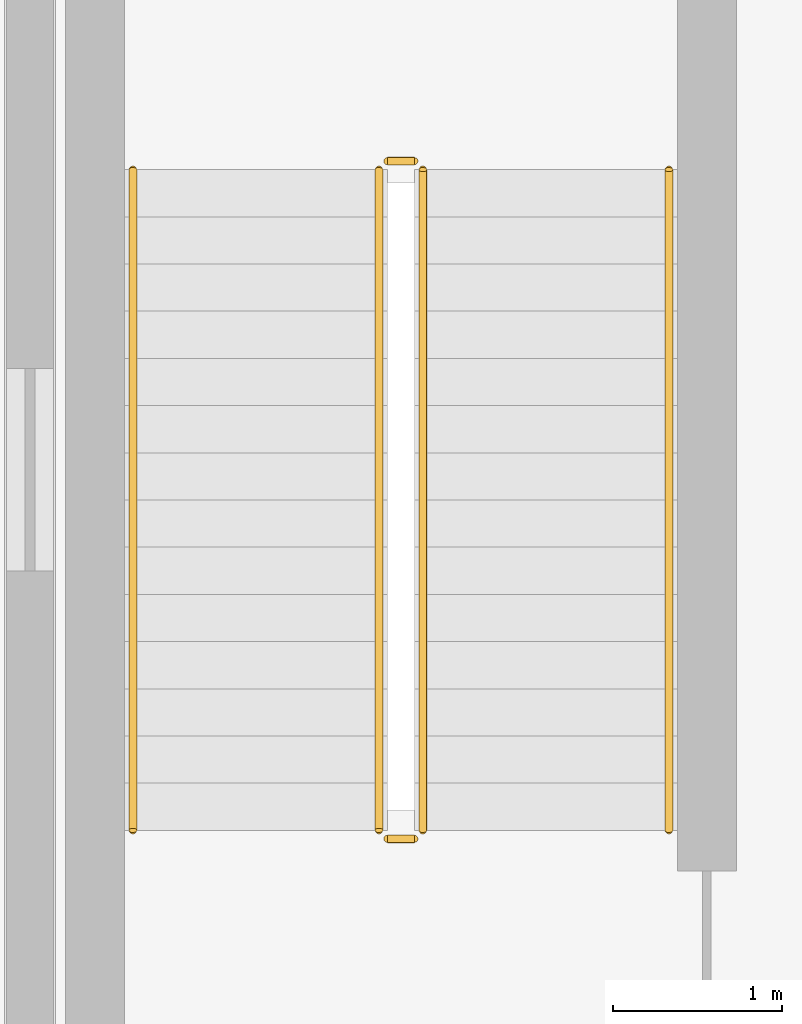
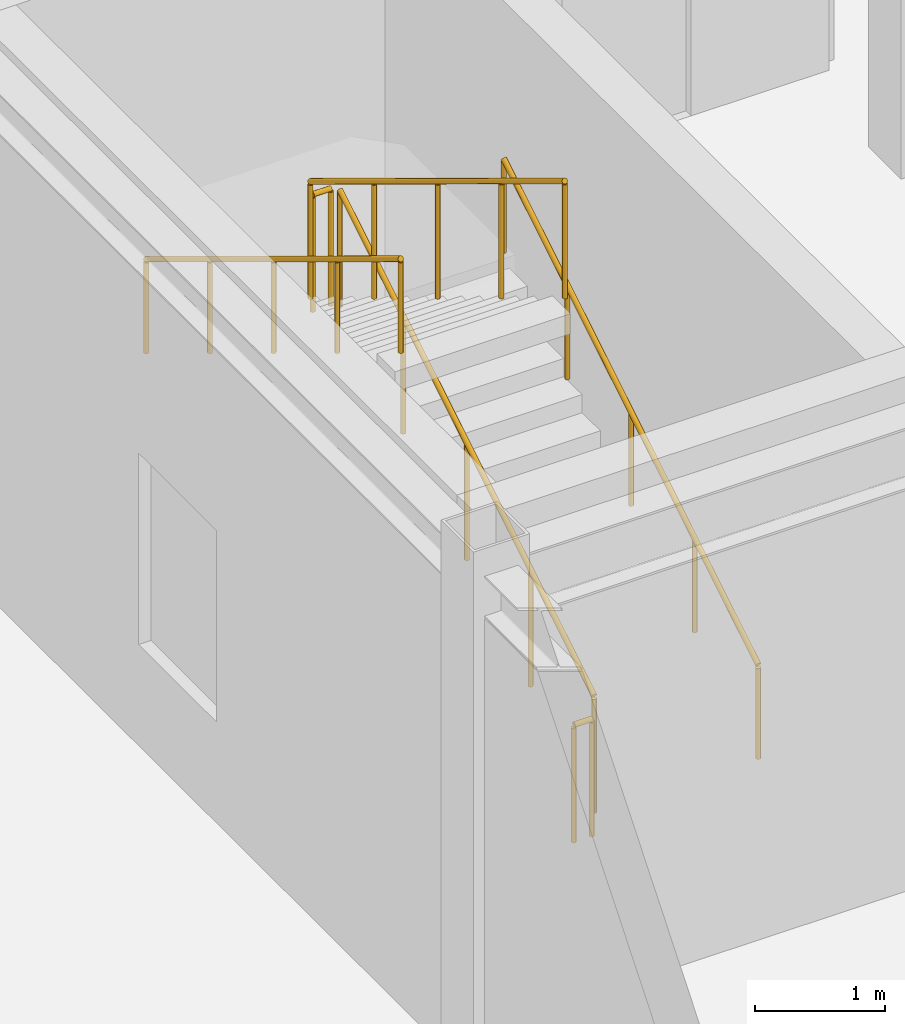
# One storey, part 119 of 123: 6 railings.
"""IFC4 building model written with IfcOpenShell, lengths in metres."""

from ifc_helpers import new_model, si_unit, direction, frame, origin, origin_2d, place, context, subcontext, project, spatial, circle, extrude, material, type_object, element, save


model = new_model("IFC4")

# Units and contexts
model_context = context("Model", 3, precision=1e-05, world=origin(), true_north=direction((0.0, 1.0)))
body_context = subcontext(model_context, "Body", "Model", "MODEL_VIEW")
ifc_project = project(units=[si_unit("LENGTHUNIT", "METRE"), si_unit("AREAUNIT", "SQUARE_METRE"), si_unit("VOLUMEUNIT", "CUBIC_METRE"), si_unit("PLANEANGLEUNIT", "RADIAN"), si_unit("MASSUNIT", "GRAM", prefix="KILO")], contexts=[model_context])

# Site, building, storey
site_placement = place(None, origin())
site = spatial("IfcSite", under=ifc_project, at=site_placement, CompositionType="ELEMENT")
building_placement = place(site_placement, origin())
building = spatial("IfcBuilding", under=site, at=building_placement, Name="Suzunagisa Mobility Hub", CompositionType="ELEMENT")
storey_placement = place(building_placement, origin())
storey = spatial("IfcBuildingStorey", under=building, at=storey_placement, Name="L00", CompositionType="ELEMENT", Elevation=0.0)

# Railings
ifc_material = material(Name="Stainless Steel SUS304", Category="metal")
railing_type_1 = type_object("IfcRailingType", Name="Interior Well Guardrail IGR-01", PredefinedType="GUARDRAIL", material=ifc_material)
railing_1_placement = place(storey_placement, frame((146.330078125, 55.360107421875, 0.169921875)))
element("IfcRailing", 1, at=railing_1_placement, inside=storey, type_object=railing_type_1, Name="L00 ST-11 stair guard 1", PredefinedType="GUARDRAIL", context=body_context, shape_type="SweptSolid", body=[
    extrude(circle(Radius=0.02392578125, at=origin_2d()), frame((0.0, 0.0, 1.09619140625), z_axis=(0.0, 0.854770645689, 0.519005918337), x_axis=(-1.0, 0.0, 0.0)), (0.0, 0.0, 1.0), 4.5859375),
    extrude(circle(Radius=0.02099609375, at=origin_2d()), origin(), (0.0, 0.0, 1.0), 1.072021484375),
    extrude(circle(Radius=0.02099609375, at=origin_2d()), frame((0.0, 0.97998046875, 0.594970703125)), (0.0, 0.0, 1.0), 1.072021484375),
    extrude(circle(Radius=0.02099609375, at=origin_2d()), frame((0.0, 1.9599609375, 1.18994140625)), (0.0, 0.0, 1.0), 1.072021484375),
    extrude(circle(Radius=0.02099609375, at=origin_2d()), frame((0.0, 2.93994140625, 1.78515625)), (0.0, 0.0, 1.0), 1.072021484375),
    extrude(circle(Radius=0.02099609375, at=origin_2d()), frame((0.0, 3.919921875, 2.380126953125)), (0.0, 0.0, 1.0), 1.072021484375),
])
railing_2_placement = place(storey_placement, frame((146.280029296875, 59.330078125, 2.550048828125)))
element("IfcRailing", 2, at=railing_2_placement, inside=storey, type_object=railing_type_1, Name="L00 ST-11 stair guard 2", PredefinedType="GUARDRAIL", context=body_context, shape_type="SweptSolid", body=[
    extrude(circle(Radius=0.02392578125, at=origin_2d()), frame((0.0, 0.0, 1.09619140625), z_axis=(-1.0, 0.0, 0.0), x_axis=(0.0, -1.0, 0.0)), (0.0, 0.0, 1.0), 0.159912109375),
    extrude(circle(Radius=0.02099609375, at=origin_2d()), origin(), (0.0, 0.0, 1.0), 1.072021484375),
    extrude(circle(Radius=0.02099609375, at=origin_2d()), frame((-0.159912109375, 0.0, 0.0)), (0.0, 0.0, 1.0), 1.072021484375),
])
railing_3_placement = place(storey_placement, frame((146.070068359375, 59.280029296875, 2.719970703125)))
element("IfcRailing", 3, at=railing_3_placement, inside=storey, type_object=railing_type_1, Name="L00 ST-11 stair guard 3", PredefinedType="GUARDRAIL", context=body_context, shape_type="SweptSolid", body=[
    extrude(circle(Radius=0.02392578125, at=origin_2d()), frame((0.0, 0.0, 1.09619140625), z_axis=(0.0, -0.854770645689, 0.519005918337), x_axis=(1.0, 0.0, 0.0)), (0.0, 0.0, 1.0), 4.5859375),
    extrude(circle(Radius=0.02099609375, at=origin_2d()), origin(), (0.0, 0.0, 1.0), 1.072021484375),
    extrude(circle(Radius=0.02099609375, at=origin_2d()), frame((0.0, -0.97998046875, 0.594970703125)), (0.0, 0.0, 1.0), 1.072021484375),
    extrude(circle(Radius=0.02099609375, at=origin_2d()), frame((0.0, -1.9599609375, 1.18994140625)), (0.0, 0.0, 1.0), 1.072021484375),
    extrude(circle(Radius=0.02099609375, at=origin_2d()), frame((0.0, -2.93994140625, 1.78515625)), (0.0, 0.0, 1.0), 1.072021484375),
    extrude(circle(Radius=0.02099609375, at=origin_2d()), frame((0.0, -3.919921875, 2.380126953125)), (0.0, 0.0, 1.0), 1.072021484375),
])
railing_4_placement = place(storey_placement, frame((146.280029296875, 55.31005859375, 0.0)))
element("IfcRailing", 4, at=railing_4_placement, inside=storey, type_object=railing_type_1, Name="L00 ST-11 stair guard 4", PredefinedType="GUARDRAIL", context=body_context, shape_type="SweptSolid", body=[
    extrude(circle(Radius=0.02392578125, at=origin_2d()), frame((0.0, 0.0, 1.09619140625), z_axis=(-1.0, 0.0, 0.0), x_axis=(0.0, -1.0, 0.0)), (0.0, 0.0, 1.0), 0.159912109375),
    extrude(circle(Radius=0.02099609375, at=origin_2d()), origin(), (0.0, 0.0, 1.0), 1.072021484375),
    extrude(circle(Radius=0.02099609375, at=origin_2d()), frame((-0.159912109375, 0.0, 0.0)), (0.0, 0.0, 1.0), 1.072021484375),
])
railing_type_2 = type_object("IfcRailingType", Name="Tubular Stainless Stair Handrail IHR-01", PredefinedType="HANDRAIL", material=ifc_material)
railing_5_placement = place(storey_placement, frame((147.7900390625, 55.360107421875, 0.169921875)))
element("IfcRailing", 5, at=railing_5_placement, inside=storey, type_object=railing_type_2, Name="L00 ST-11 stair handrail 1", PredefinedType="HANDRAIL", context=body_context, shape_type="SweptSolid", body=[
    extrude(circle(Radius=0.02392578125, at=origin_2d()), frame((0.0, 0.0, 0.8759765625), z_axis=(0.0, 0.854770645689, 0.519005918337), x_axis=(-1.0, 0.0, 0.0)), (0.0, 0.0, 1.0), 4.5859375),
    extrude(circle(Radius=0.02099609375, at=origin_2d()), origin(), (0.0, 0.0, 1.0), 0.851806640625),
    extrude(circle(Radius=0.02099609375, at=origin_2d()), frame((0.0, 0.97998046875, 0.594970703125)), (0.0, 0.0, 1.0), 0.851806640625),
    extrude(circle(Radius=0.02099609375, at=origin_2d()), frame((0.0, 1.9599609375, 1.18994140625)), (0.0, 0.0, 1.0), 0.851806640625),
    extrude(circle(Radius=0.02099609375, at=origin_2d()), frame((0.0, 2.93994140625, 1.78515625)), (0.0, 0.0, 1.0), 0.851806640625),
    extrude(circle(Radius=0.02099609375, at=origin_2d()), frame((0.0, 3.919921875, 2.380126953125)), (0.0, 0.0, 1.0), 0.851806640625),
])
railing_6_placement = place(storey_placement, frame((144.610107421875, 59.280029296875, 2.719970703125)))
element("IfcRailing", 6, at=railing_6_placement, inside=storey, type_object=railing_type_2, Name="L00 ST-11 stair handrail 2", PredefinedType="HANDRAIL", context=body_context, shape_type="SweptSolid", body=[
    extrude(circle(Radius=0.02392578125, at=origin_2d()), frame((0.0, 0.0, 0.8759765625), z_axis=(0.0, -0.854770645689, 0.519005918337), x_axis=(1.0, 0.0, 0.0)), (0.0, 0.0, 1.0), 4.5859375),
    extrude(circle(Radius=0.02099609375, at=origin_2d()), origin(), (0.0, 0.0, 1.0), 0.851806640625),
    extrude(circle(Radius=0.02099609375, at=origin_2d()), frame((0.0, -0.97998046875, 0.594970703125)), (0.0, 0.0, 1.0), 0.851806640625),
    extrude(circle(Radius=0.02099609375, at=origin_2d()), frame((0.0, -1.9599609375, 1.18994140625)), (0.0, 0.0, 1.0), 0.851806640625),
    extrude(circle(Radius=0.02099609375, at=origin_2d()), frame((0.0, -2.93994140625, 1.78515625)), (0.0, 0.0, 1.0), 0.851806640625),
    extrude(circle(Radius=0.02099609375, at=origin_2d()), frame((0.0, -3.919921875, 2.380126953125)), (0.0, 0.0, 1.0), 0.851806640625),
])

save(model, "model.ifc")
